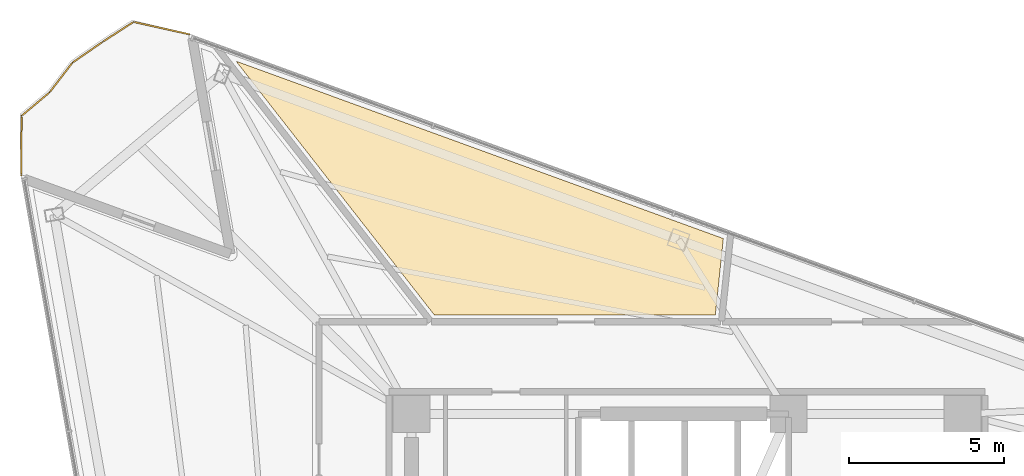
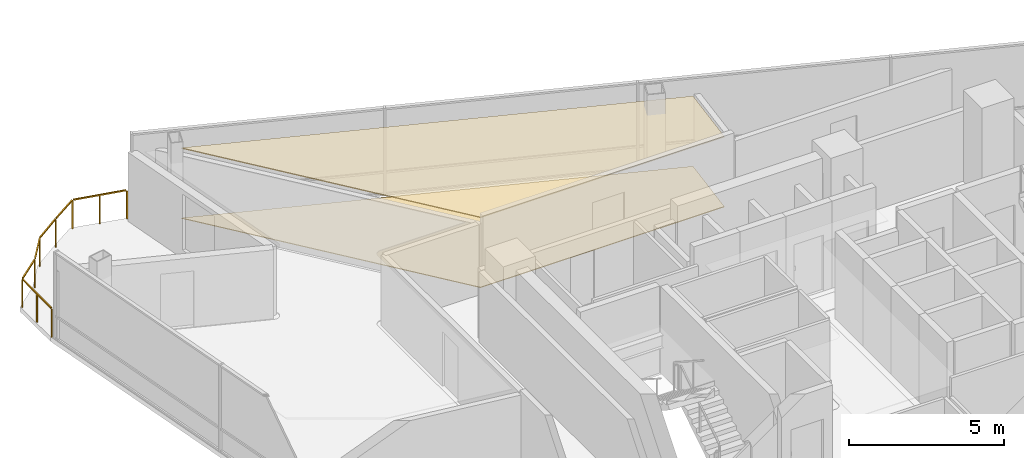
# One storey, part 16 of 16: 2 coverings, 1 railing.
"""IFC4 building model written with IfcOpenShell, lengths in metres."""

from ifc_helpers import new_model, si_unit, direction, frame, origin, origin_2d, place, context, subcontext, project, spatial, polyline, rectangle, outline, extrude, material, layer, layer_set, type_object, element, save


model = new_model("IFC4")

# Units and contexts
model_context = context("Model", 3, precision=1e-05, world=origin(), true_north=direction((0.0, 1.0)))
body_context = subcontext(model_context, "Body", "Model", "MODEL_VIEW")
ifc_project = project(units=[si_unit("LENGTHUNIT", "METRE"), si_unit("AREAUNIT", "SQUARE_METRE"), si_unit("VOLUMEUNIT", "CUBIC_METRE"), si_unit("PLANEANGLEUNIT", "RADIAN"), si_unit("MASSUNIT", "GRAM", prefix="KILO")], contexts=[model_context])

# Site, building, storey
site_placement = place(None, origin())
site = spatial("IfcSite", under=ifc_project, at=site_placement, CompositionType="ELEMENT")
building_placement = place(site_placement, origin())
building = spatial("IfcBuilding", under=site, at=building_placement, Name="Tharavind Bronze Gate", CompositionType="ELEMENT")
storey_placement = place(building_placement, frame((0.0, 0.0, 181.300048828125)))
storey = spatial("IfcBuildingStorey", under=building, at=storey_placement, Name="L46", CompositionType="ELEMENT", Elevation=181.300048828125)

# Coverings
ifc_material_1 = material(Name="Perforated Bronze Acoustic Panel", Category="bronze")
ifc_layer_1 = layer(ifc_material_1, 0.044921875)
ifc_layer_set_1 = layer_set([ifc_layer_1], Name="Perforated Bronze Acoustic Panel")
covering_type_1 = type_object("IfcCoveringType", Name="ACOUSTIC BRONZE BAFFLE CEILING", PredefinedType="CEILING", material=ifc_layer_set_1)
covering_1_placement = place(storey_placement, frame((0.0, 0.0, 2.75)))
element("IfcCovering", 1, at=covering_1_placement, inside=storey, type_object=covering_type_1, Name="L46-RM-02 suspended ceiling", PredefinedType="CEILING", context=body_context, shape_type="SweptSolid", body=[
    extrude(outline(polyline([(-8.15869140625, 10.800048828125), (0.913818359375, 10.800048828125), (1.17333984375, 13.268310546875), (-14.561767578125, 18.99560546875), (-8.15869140625, 10.800048828125)])), origin(), (0.0, 0.0, 1.0), 0.034912109375),
])
ifc_material_2 = material(Name="Engineered Oak & Carpet Tile", Category="wood")
ifc_layer_2 = layer(ifc_material_2, 0.02490234375)
ifc_layer_set_2 = layer_set([ifc_layer_2], Name="Engineered Oak & Carpet Tile")
covering_type_2 = type_object("IfcCoveringType", Name="ENGINEERED TIMBER FLOORING", PredefinedType="FLOORING", material=ifc_layer_set_2)
covering_2_placement = place(storey_placement, origin())
element("IfcCovering", 2, at=covering_2_placement, inside=storey, type_object=covering_type_2, Name="L46-RM-02 floor finish", PredefinedType="FLOORING", context=body_context, shape_type="SweptSolid", body=[
    extrude(outline(polyline([(-8.15869140625, 10.800048828125), (0.913818359375, 10.800048828125), (1.17333984375, 13.268310546875), (-14.561767578125, 18.99560546875), (-8.15869140625, 10.800048828125)])), origin(), (0.0, 0.0, 1.0), 0.02490234375),
])

# Railing
ifc_material_3 = material(Name="Bronze Cap & Laminated Glass", Category="glass")
railing_type = type_object("IfcRailingType", Name="TERRACE GLASS GUARD RAILING 1150", PredefinedType="GUARDRAIL", material=ifc_material_3)
railing_placement = place(storey_placement, frame((-21.49951171875, 15.31494140625, 0.0)))
element("IfcRailing", 3, at=railing_placement, inside=storey, type_object=railing_type, Name="L46 tree balcony guard railing", PredefinedType="GUARDRAIL", context=body_context, shape_type="SweptSolid", body=[
    extrude(rectangle(XDim=0.048095703125, YDim=0.048095703125, at=origin_2d()), frame((0.000244140625, 0.031982421875, 1.1259765625), z_axis=(0.006244302881, 0.999980504151, 0.0), x_axis=(-0.999980504151, 0.006244302881, 0.0)), (0.0, 0.0, 1.0), 1.851806640625),
    extrude(rectangle(XDim=0.048095703125, YDim=0.048095703125, at=origin_2d()), frame((0.036376953125, 1.936279296875, 1.1259765625), z_axis=(0.765977892633, 0.642866913131, 0.0), x_axis=(-0.642866913131, 0.765977892633, 0.0)), (0.0, 0.0, 1.0), 1.115966796875),
    extrude(rectangle(XDim=0.048095703125, YDim=0.048095703125, at=origin_2d()), frame((0.935302734375, 2.69970703125, 1.1259765625), z_axis=(0.609749815727, 0.79259394536, 0.0), x_axis=(-0.79259394536, 0.609749815727, 0.0)), (0.0, 0.0, 1.0), 1.144287109375),
    extrude(rectangle(XDim=0.048095703125, YDim=0.048095703125, at=origin_2d()), frame((1.678955078125, 3.650146484375, 1.1259765625), z_axis=(0.823524708497, 0.567280402001, 0.0), x_axis=(-0.567280402001, 0.823524708497, 0.0)), (0.0, 0.0, 1.0), 1.121337890625),
    extrude(rectangle(XDim=0.048095703125, YDim=0.048095703125, at=origin_2d()), frame((2.655517578125, 4.32177734375, 1.1259765625), z_axis=(0.840015987987, 0.5425616462, 0.0), x_axis=(-0.5425616462, 0.840015987987, 0.0)), (0.0, 0.0, 1.0), 1.125244140625),
    extrude(rectangle(XDim=0.048095703125, YDim=0.048095703125, at=origin_2d()), frame((3.658935546875, 4.94287109375, 1.1259765625), z_axis=(0.976205791901, -0.216846147902, 0.0), x_axis=(0.216846147902, 0.976205791901, 0.0)), (0.0, 0.0, 1.0), 1.775634765625),
    extrude(rectangle(XDim=0.0400390625, YDim=0.0400390625, at=origin_2d()), origin(), (0.0, 0.0, 1.0), 1.097900390625),
    extrude(rectangle(XDim=0.0400390625, YDim=0.0400390625, at=origin_2d()), frame((0.005859375, 0.9580078125, 0.0)), (0.0, 0.0, 1.0), 1.097900390625),
    extrude(rectangle(XDim=0.0400390625, YDim=0.0400390625, at=origin_2d()), frame((0.011962890625, 1.915771484375, 0.0)), (0.0, 0.0, 1.0), 1.097900390625),
    extrude(rectangle(XDim=0.0400390625, YDim=0.0400390625, at=origin_2d()), frame((0.915771484375, 2.67431640625, 0.0)), (0.0, 0.0, 1.0), 1.097900390625),
    extrude(rectangle(XDim=0.0400390625, YDim=0.0400390625, at=origin_2d()), frame((1.652587890625, 3.632080078125, 0.0)), (0.0, 0.0, 1.0), 1.097900390625),
    extrude(rectangle(XDim=0.0400390625, YDim=0.0400390625, at=origin_2d()), frame((2.628662109375, 4.304443359375, 0.0)), (0.0, 0.0, 1.0), 1.097900390625),
    extrude(rectangle(XDim=0.0400390625, YDim=0.0400390625, at=origin_2d()), frame((3.627685546875, 4.94970703125, 0.0)), (0.0, 0.0, 1.0), 1.097900390625),
    extrude(rectangle(XDim=0.0400390625, YDim=0.0400390625, at=origin_2d()), frame((4.525634765625, 4.750244140625, 0.0)), (0.0, 0.0, 1.0), 1.097900390625),
    extrude(rectangle(XDim=0.0400390625, YDim=0.0400390625, at=origin_2d()), frame((5.423583984375, 4.55078125, 0.0)), (0.0, 0.0, 1.0), 1.097900390625),
])

save(model, "model.ifc")
